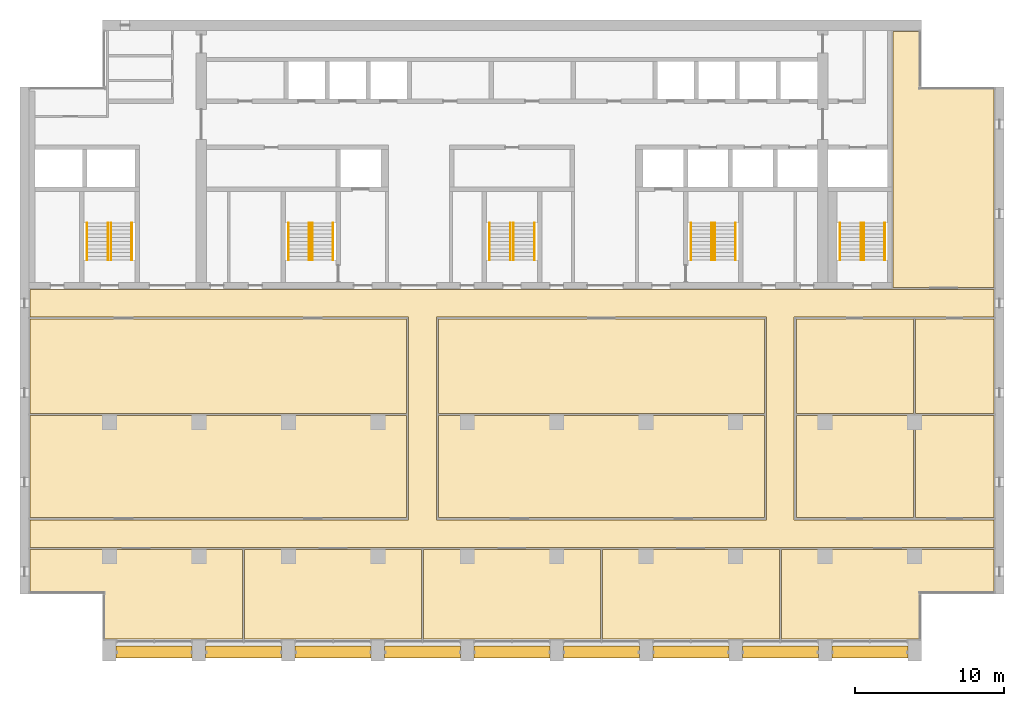
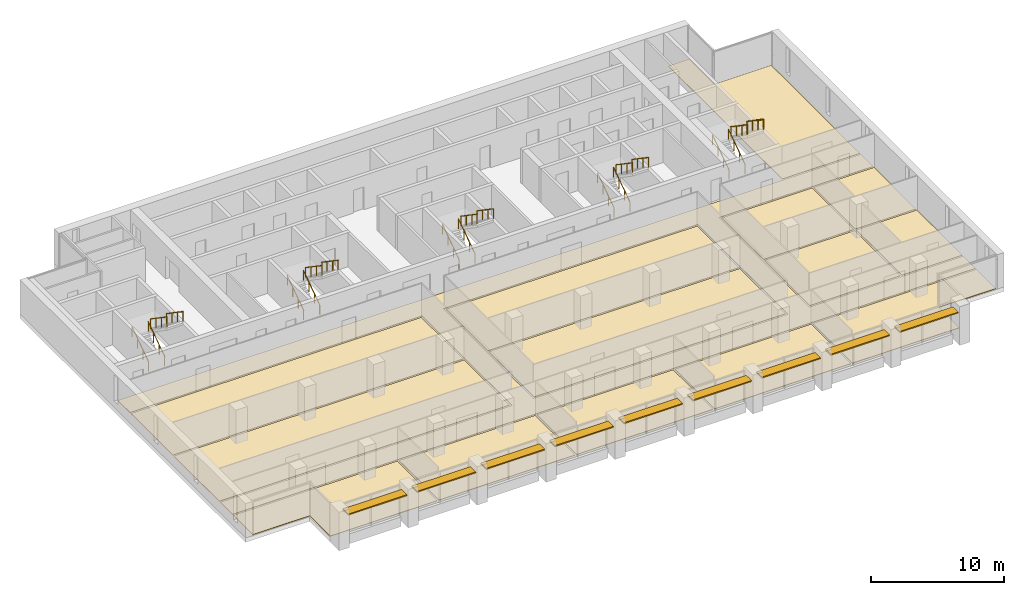
# One storey, part 16 of 16: 20 railings, 15 coverings, 9 shading devices, 5 elements without a shape of their own.
"""IFC4 building model written with IfcOpenShell, lengths in metres."""

from ifc_helpers import new_model, si_unit, direction, frame, origin, origin_2d, place, context, subcontext, project, spatial, polyline, rectangle, circle, outline, extrude, material, layer, layer_set, material_profile, profile_set, type_object, element, aggregate, save


model = new_model("IFC4")

# Units and contexts
model_context = context("Model", 3, precision=1e-05, world=origin(), true_north=direction((0.0, 1.0)))
body_context = subcontext(model_context, "Body", "Model", "MODEL_VIEW")
ifc_project = project(units=[si_unit("LENGTHUNIT", "METRE"), si_unit("AREAUNIT", "SQUARE_METRE"), si_unit("VOLUMEUNIT", "CUBIC_METRE"), si_unit("PLANEANGLEUNIT", "RADIAN"), si_unit("MASSUNIT", "GRAM", prefix="KILO")], contexts=[model_context])

# Site, building, storey
site_placement = place(None, origin())
site = spatial("IfcSite", under=ifc_project, at=site_placement, CompositionType="ELEMENT")
building_placement = place(site_placement, origin())
building = spatial("IfcBuilding", under=site, at=building_placement, Name="Calvaro Tower", CompositionType="ELEMENT")
storey_placement = place(building_placement, frame((0.0, 0.0, 223.0)))
storey = spatial("IfcBuildingStorey", under=building, at=storey_placement, Name="L56", CompositionType="ELEMENT", Elevation=223.0)

# Shading devices
ifc_material_1 = material(Name="Anodised aluminium", Category="aluminium")
ifc_material_profile = material_profile(ifc_material_1, rectangle(XDim=0.800048828125, YDim=0.10009765625, at=origin_2d()), Name="Brise-soleil blade 800 x 100")
ifc_profile_set = profile_set([ifc_material_profile], Name="Anodised aluminium")
shading_device_type = type_object("IfcShadingDeviceType", Name="Brise-soleil blade 800 x 100", PredefinedType="JALOUSIE", material=ifc_profile_set)
for number, where, z_axis, x_axis, name in (
    (1, (12.449951171875, 3.60009765625, 2.5), (1.0, 0.0, 0.0), (0.0, 1.0, 0.0), "Brise-soleil blade 1"),
    (2, (18.449951171875, 3.60009765625, 2.5), (1.0, 0.0, 0.0), (0.0, 1.0, 0.0), "Brise-soleil blade 2"),
    (3, (24.449951171875, 3.60009765625, 2.5), (1.0, 0.0, 0.0), (0.0, 1.0, 0.0), "Brise-soleil blade 3"),
    (4, (30.449951171875, 3.60009765625, 2.5), (1.0, 0.0, 0.0), (0.0, 1.0, 0.0), "Brise-soleil blade 4"),
    (5, (36.449951171875, 3.60009765625, 2.5), (1.0, 0.0, 0.0), (0.0, 1.0, 0.0), "Brise-soleil blade 5"),
    (6, (42.449951171875, 3.60009765625, 2.5), (1.0, 0.0, 0.0), (0.0, 1.0, 0.0), "Brise-soleil blade 6"),
    (7, (48.449951171875, 3.60009765625, 2.5), (1.0, 0.0, 0.0), (0.0, 1.0, 0.0), "Brise-soleil blade 7"),
    (8, (54.449951171875, 3.60009765625, 2.5), (1.0, 0.0, 0.0), (0.0, 1.0, 0.0), "Brise-soleil blade 8"),
    (9, (60.449951171875, 3.60009765625, 2.5), (1.0, 0.0, 0.0), (0.0, 1.0, 0.0), "Brise-soleil blade 9"),
):
    element("IfcShadingDevice", number, at=place(storey_placement, frame(where, z_axis=z_axis, x_axis=x_axis)), inside=storey, type_object=shading_device_type, Name=name, PredefinedType="JALOUSIE", context=body_context, shape_type="SweptSolid", body=[
        extrude(rectangle(XDim=0.800048828125, YDim=0.10009765625, at=origin_2d()), origin(), (0.0, 0.0, 1.0), 5.10009765625),
    ])

# Coverings
ifc_material_2 = material(Name="Cement screed with carpet tile finish")
ifc_layer = layer(ifc_material_2, 0.050048828125)
ifc_layer_set = layer_set([ifc_layer], Name="Cement screed with carpet tile finish")
covering_type = type_object("IfcCoveringType", Name="Floor finish 50", PredefinedType="FLOORING", material=ifc_layer_set)
covering_1_placement = place(storey_placement, origin())
element("IfcCovering", 10, at=covering_1_placement, inside=storey, type_object=covering_type, Name="Floor finish 32.01", PredefinedType="FLOORING", context=body_context, shape_type="SweptSolid", body=[
    extrude(outline(polyline([(6.669921875, 10.6201171875), (6.669921875, 12.47998046875), (32.070068359375, 12.47998046875), (32.070068359375, 26.070068359375), (6.669921875, 26.070068359375), (6.669921875, 27.929931640625), (71.330078125, 27.929931640625), (71.330078125, 26.070068359375), (57.929931640625, 26.070068359375), (57.929931640625, 12.47998046875), (71.330078125, 12.47998046875), (71.330078125, 10.6201171875), (6.669921875, 10.6201171875)]), holes=[polyline([(56.070068359375, 12.47998046875), (56.070068359375, 26.070068359375), (33.929931640625, 26.070068359375), (33.929931640625, 12.47998046875), (56.070068359375, 12.47998046875)])]), origin(), (0.0, 0.0, 1.0), 0.050048828125),
])
covering_2_placement = place(storey_placement, origin())
element("IfcCovering", 11, at=covering_2_placement, inside=storey, type_object=covering_type, Name="Floor finish 32.05", PredefinedType="FLOORING", context=body_context, shape_type="SweptSolid", body=[
    extrude(outline(polyline([(20.929931640625, 10.47998046875), (20.929931640625, 4.469970703125), (11.6201171875, 4.469970703125), (11.6201171875, 7.570068359375), (6.669921875, 7.570068359375), (6.669921875, 10.47998046875), (20.929931640625, 10.47998046875)])), origin(), (0.0, 0.0, 1.0), 0.050048828125),
])
covering_3_placement = place(storey_placement, origin())
element("IfcCovering", 12, at=covering_3_placement, inside=storey, type_object=covering_type, Name="Floor finish 32.02", PredefinedType="FLOORING", context=body_context, shape_type="SweptSolid", body=[
    extrude(outline(polyline([(21.070068359375, 10.47998046875), (32.929931640625, 10.47998046875), (32.929931640625, 4.469970703125), (21.070068359375, 4.469970703125), (21.070068359375, 10.47998046875)])), origin(), (0.0, 0.0, 1.0), 0.050048828125),
])
covering_4_placement = place(storey_placement, origin())
element("IfcCovering", 13, at=covering_4_placement, inside=storey, type_object=covering_type, Name="Floor finish 32.03", PredefinedType="FLOORING", context=body_context, shape_type="SweptSolid", body=[
    extrude(outline(polyline([(33.070068359375, 10.47998046875), (44.929931640625, 10.47998046875), (44.929931640625, 4.469970703125), (33.070068359375, 4.469970703125), (33.070068359375, 10.47998046875)])), origin(), (0.0, 0.0, 1.0), 0.050048828125),
])
covering_5_placement = place(storey_placement, origin())
element("IfcCovering", 14, at=covering_5_placement, inside=storey, type_object=covering_type, Name="Floor finish 32.04", PredefinedType="FLOORING", context=body_context, shape_type="SweptSolid", body=[
    extrude(outline(polyline([(45.070068359375, 10.47998046875), (56.929931640625, 10.47998046875), (56.929931640625, 4.469970703125), (45.070068359375, 4.469970703125), (45.070068359375, 10.47998046875)])), origin(), (0.0, 0.0, 1.0), 0.050048828125),
])
covering_6_placement = place(storey_placement, origin())
element("IfcCovering", 15, at=covering_6_placement, inside=storey, type_object=covering_type, Name="Floor finish 32.06", PredefinedType="FLOORING", context=body_context, shape_type="SweptSolid", body=[
    extrude(outline(polyline([(71.330078125, 7.570068359375), (66.3798828125, 7.570068359375), (66.3798828125, 4.469970703125), (57.070068359375, 4.469970703125), (57.070068359375, 10.47998046875), (71.330078125, 10.47998046875), (71.330078125, 7.570068359375)])), origin(), (0.0, 0.0, 1.0), 0.050048828125),
])
covering_7_placement = place(storey_placement, origin())
element("IfcCovering", 16, at=covering_7_placement, inside=storey, type_object=covering_type, Name="Floor finish 32.07", PredefinedType="FLOORING", context=body_context, shape_type="SweptSolid", body=[
    extrude(outline(polyline([(31.929931640625, 19.47998046875), (31.929931640625, 12.6201171875), (6.669921875, 12.6201171875), (6.669921875, 19.47998046875), (31.929931640625, 19.47998046875)])), origin(), (0.0, 0.0, 1.0), 0.050048828125),
])
covering_8_placement = place(storey_placement, origin())
element("IfcCovering", 17, at=covering_8_placement, inside=storey, type_object=covering_type, Name="Floor finish 32.11", PredefinedType="FLOORING", context=body_context, shape_type="SweptSolid", body=[
    extrude(outline(polyline([(31.929931640625, 25.929931640625), (31.929931640625, 19.6201171875), (6.669921875, 19.6201171875), (6.669921875, 25.929931640625), (31.929931640625, 25.929931640625)])), origin(), (0.0, 0.0, 1.0), 0.050048828125),
])
covering_9_placement = place(storey_placement, origin())
element("IfcCovering", 18, at=covering_9_placement, inside=storey, type_object=covering_type, Name="Floor finish 32.08", PredefinedType="FLOORING", context=body_context, shape_type="SweptSolid", body=[
    extrude(outline(polyline([(34.070068359375, 12.6201171875), (34.070068359375, 19.47998046875), (55.929931640625, 19.47998046875), (55.929931640625, 12.6201171875), (34.070068359375, 12.6201171875)])), origin(), (0.0, 0.0, 1.0), 0.050048828125),
])
covering_10_placement = place(storey_placement, origin())
element("IfcCovering", 19, at=covering_10_placement, inside=storey, type_object=covering_type, Name="Floor finish 32.12", PredefinedType="FLOORING", context=body_context, shape_type="SweptSolid", body=[
    extrude(outline(polyline([(34.070068359375, 19.6201171875), (34.070068359375, 25.929931640625), (55.929931640625, 25.929931640625), (55.929931640625, 19.6201171875), (34.070068359375, 19.6201171875)])), origin(), (0.0, 0.0, 1.0), 0.050048828125),
])
covering_11_placement = place(storey_placement, origin())
element("IfcCovering", 20, at=covering_11_placement, inside=storey, type_object=covering_type, Name="Floor finish 32.09", PredefinedType="FLOORING", context=body_context, shape_type="SweptSolid", body=[
    extrude(outline(polyline([(58.070068359375, 12.6201171875), (58.070068359375, 19.47998046875), (65.929931640625, 19.47998046875), (65.929931640625, 12.6201171875), (58.070068359375, 12.6201171875)])), origin(), (0.0, 0.0, 1.0), 0.050048828125),
])
covering_12_placement = place(storey_placement, origin())
element("IfcCovering", 21, at=covering_12_placement, inside=storey, type_object=covering_type, Name="Floor finish 32.10", PredefinedType="FLOORING", context=body_context, shape_type="SweptSolid", body=[
    extrude(outline(polyline([(71.330078125, 12.6201171875), (66.070068359375, 12.6201171875), (66.070068359375, 19.47998046875), (71.330078125, 19.47998046875), (71.330078125, 12.6201171875)])), origin(), (0.0, 0.0, 1.0), 0.050048828125),
])
covering_13_placement = place(storey_placement, origin())
element("IfcCovering", 22, at=covering_13_placement, inside=storey, type_object=covering_type, Name="Floor finish 32.13", PredefinedType="FLOORING", context=body_context, shape_type="SweptSolid", body=[
    extrude(outline(polyline([(58.070068359375, 19.6201171875), (58.070068359375, 25.929931640625), (65.929931640625, 25.929931640625), (65.929931640625, 19.6201171875), (58.070068359375, 19.6201171875)])), origin(), (0.0, 0.0, 1.0), 0.050048828125),
])
covering_14_placement = place(storey_placement, origin())
element("IfcCovering", 23, at=covering_14_placement, inside=storey, type_object=covering_type, Name="Floor finish 32.14", PredefinedType="FLOORING", context=body_context, shape_type="SweptSolid", body=[
    extrude(outline(polyline([(71.330078125, 19.6201171875), (66.070068359375, 19.6201171875), (66.070068359375, 25.929931640625), (71.330078125, 25.929931640625), (71.330078125, 19.6201171875)])), origin(), (0.0, 0.0, 1.0), 0.050048828125),
])
covering_15_placement = place(storey_placement, origin())
element("IfcCovering", 24, at=covering_15_placement, inside=storey, type_object=covering_type, Name="Floor finish 32.15", PredefinedType="FLOORING", context=body_context, shape_type="SweptSolid", body=[
    extrude(outline(polyline([(71.330078125, 28.070068359375), (64.570068359375, 28.070068359375), (64.570068359375, 45.22998046875), (66.3798828125, 45.22998046875), (66.3798828125, 41.429931640625), (71.330078125, 41.429931640625), (71.330078125, 28.070068359375)])), origin(), (0.0, 0.0, 1.0), 0.050048828125),
])

# Stair, railings
ifc_material_3 = material(Name="Concrete C40/50", Category="concrete")
stair_type = type_object("IfcStairType", Name="Exit stair 1400 2 flights", PredefinedType="HALF_TURN_STAIR", material=ifc_material_3)
stair_1_placement = place(storey_placement, origin())
stair_1 = element("IfcStair", 25, at=stair_1_placement, inside=storey, type_object=stair_type, Name="Exit stair S1", PredefinedType="HALF_TURN_STAIR")
ifc_material_4 = material(Name="Stainless steel", Category="steel")
railing_type = type_object("IfcRailingType", Name="Stair handrail", PredefinedType="HANDRAIL", material=ifc_material_4)
railing_1_placement = place(storey_placement, frame((11.89990234375, 29.89990234375, 0.17041015625)))
railing_1 = element("IfcRailing", 26, at=railing_1_placement, type_object=railing_type, Name="Exit stair 1 handrail", PredefinedType="HANDRAIL", context=body_context, shape_type="SweptSolid", body=[
    extrude(circle(Radius=0.02392578125, at=origin_2d()), frame((0.0, 0.0, 0.8759765625), z_axis=(0.0, 0.826220514629, 0.563346839174), x_axis=(-1.0, 0.0, 0.0)), (0.0, 0.0, 1.0), 3.02587890625),
    extrude(circle(Radius=0.02099609375, at=origin_2d()), frame((0.0, 0.017333984375, 0.01171875)), (0.0, 0.0, 1.0), 0.851806640625),
    extrude(circle(Radius=0.02099609375, at=origin_2d()), frame((0.0, 0.833251953125, 0.568115234375)), (0.0, 0.0, 1.0), 0.851806640625),
    extrude(circle(Radius=0.02099609375, at=origin_2d()), frame((0.0, 1.666748046875, 1.136474609375)), (0.0, 0.0, 1.0), 0.851806640625),
    extrude(circle(Radius=0.02099609375, at=origin_2d()), frame((0.0, 2.482666015625, 1.69287109375)), (0.0, 0.0, 1.0), 0.851806640625),
])
railing_2_placement = place(storey_placement, frame((10.5, 29.89990234375, 0.17041015625)))
railing_2 = element("IfcRailing", 27, at=railing_2_placement, type_object=railing_type, Name="Exit stair 1 handrail", PredefinedType="HANDRAIL", context=body_context, shape_type="SweptSolid", body=[
    extrude(circle(Radius=0.02392578125, at=origin_2d()), frame((0.0, 0.0, 0.8759765625), z_axis=(0.0, 0.826220514629, 0.563346839174), x_axis=(-1.0, 0.0, 0.0)), (0.0, 0.0, 1.0), 3.02587890625),
    extrude(circle(Radius=0.02099609375, at=origin_2d()), frame((0.0, 0.017333984375, 0.01171875)), (0.0, 0.0, 1.0), 0.851806640625),
    extrude(circle(Radius=0.02099609375, at=origin_2d()), frame((0.0, 0.833251953125, 0.568115234375)), (0.0, 0.0, 1.0), 0.851806640625),
    extrude(circle(Radius=0.02099609375, at=origin_2d()), frame((0.0, 1.666748046875, 1.136474609375)), (0.0, 0.0, 1.0), 0.851806640625),
    extrude(circle(Radius=0.02099609375, at=origin_2d()), frame((0.0, 2.482666015625, 1.69287109375)), (0.0, 0.0, 1.0), 0.851806640625),
])
railing_3_placement = place(storey_placement, frame((12.10009765625, 32.39990234375, 2.04541015625)))
railing_3 = element("IfcRailing", 28, at=railing_3_placement, type_object=railing_type, Name="Exit stair 1 handrail", PredefinedType="HANDRAIL", context=body_context, shape_type="SweptSolid", body=[
    extrude(circle(Radius=0.02392578125, at=origin_2d()), frame((0.0, 0.0, 0.8759765625), z_axis=(0.0, -0.826220514629, 0.563346839174), x_axis=(1.0, 0.0, 0.0)), (0.0, 0.0, 1.0), 3.02587890625),
    extrude(circle(Radius=0.02099609375, at=origin_2d()), frame((0.0, -0.017333984375, 0.01171875)), (0.0, 0.0, 1.0), 0.851806640625),
    extrude(circle(Radius=0.02099609375, at=origin_2d()), frame((0.0, -0.833251953125, 0.568115234375)), (0.0, 0.0, 1.0), 0.851806640625),
    extrude(circle(Radius=0.02099609375, at=origin_2d()), frame((0.0, -1.666748046875, 1.136474609375)), (0.0, 0.0, 1.0), 0.851806640625),
    extrude(circle(Radius=0.02099609375, at=origin_2d()), frame((0.0, -2.482666015625, 1.69287109375)), (0.0, 0.0, 1.0), 0.851806640625),
])
railing_4_placement = place(storey_placement, frame((13.5, 32.39990234375, 2.04541015625)))
railing_4 = element("IfcRailing", 29, at=railing_4_placement, type_object=railing_type, Name="Exit stair 1 handrail", PredefinedType="HANDRAIL", context=body_context, shape_type="SweptSolid", body=[
    extrude(circle(Radius=0.02392578125, at=origin_2d()), frame((0.0, 0.0, 0.8759765625), z_axis=(0.0, -0.826220514629, 0.563346839174), x_axis=(1.0, 0.0, 0.0)), (0.0, 0.0, 1.0), 3.02587890625),
    extrude(circle(Radius=0.02099609375, at=origin_2d()), frame((0.0, -0.017333984375, 0.01171875)), (0.0, 0.0, 1.0), 0.851806640625),
    extrude(circle(Radius=0.02099609375, at=origin_2d()), frame((0.0, -0.833251953125, 0.568115234375)), (0.0, 0.0, 1.0), 0.851806640625),
    extrude(circle(Radius=0.02099609375, at=origin_2d()), frame((0.0, -1.666748046875, 1.136474609375)), (0.0, 0.0, 1.0), 0.851806640625),
    extrude(circle(Radius=0.02099609375, at=origin_2d()), frame((0.0, -2.482666015625, 1.69287109375)), (0.0, 0.0, 1.0), 0.851806640625),
])
aggregate(stair_1, [railing_1, railing_2, railing_3, railing_4])

stair_2_placement = place(storey_placement, origin())
stair_2 = element("IfcStair", 30, at=stair_2_placement, inside=storey, type_object=stair_type, Name="Exit stair S2", PredefinedType="HALF_TURN_STAIR")
railing_5_placement = place(storey_placement, frame((25.39990234375, 29.89990234375, 0.17041015625)))
railing_5 = element("IfcRailing", 31, at=railing_5_placement, type_object=railing_type, Name="Exit stair 2 handrail", PredefinedType="HANDRAIL", context=body_context, shape_type="SweptSolid", body=[
    extrude(circle(Radius=0.02392578125, at=origin_2d()), frame((0.0, 0.0, 0.8759765625), z_axis=(0.0, 0.826220514629, 0.563346839174), x_axis=(-1.0, 0.0, 0.0)), (0.0, 0.0, 1.0), 3.02587890625),
    extrude(circle(Radius=0.02099609375, at=origin_2d()), frame((0.0, 0.017333984375, 0.01171875)), (0.0, 0.0, 1.0), 0.851806640625),
    extrude(circle(Radius=0.02099609375, at=origin_2d()), frame((0.0, 0.833251953125, 0.568115234375)), (0.0, 0.0, 1.0), 0.851806640625),
    extrude(circle(Radius=0.02099609375, at=origin_2d()), frame((0.0, 1.666748046875, 1.136474609375)), (0.0, 0.0, 1.0), 0.851806640625),
    extrude(circle(Radius=0.02099609375, at=origin_2d()), frame((0.0, 2.482666015625, 1.69287109375)), (0.0, 0.0, 1.0), 0.851806640625),
])
railing_6_placement = place(storey_placement, frame((24.0, 29.89990234375, 0.17041015625)))
railing_6 = element("IfcRailing", 32, at=railing_6_placement, type_object=railing_type, Name="Exit stair 2 handrail", PredefinedType="HANDRAIL", context=body_context, shape_type="SweptSolid", body=[
    extrude(circle(Radius=0.02392578125, at=origin_2d()), frame((0.0, 0.0, 0.8759765625), z_axis=(0.0, 0.826220514629, 0.563346839174), x_axis=(-1.0, 0.0, 0.0)), (0.0, 0.0, 1.0), 3.02587890625),
    extrude(circle(Radius=0.02099609375, at=origin_2d()), frame((0.0, 0.017333984375, 0.01171875)), (0.0, 0.0, 1.0), 0.851806640625),
    extrude(circle(Radius=0.02099609375, at=origin_2d()), frame((0.0, 0.833251953125, 0.568115234375)), (0.0, 0.0, 1.0), 0.851806640625),
    extrude(circle(Radius=0.02099609375, at=origin_2d()), frame((0.0, 1.666748046875, 1.136474609375)), (0.0, 0.0, 1.0), 0.851806640625),
    extrude(circle(Radius=0.02099609375, at=origin_2d()), frame((0.0, 2.482666015625, 1.69287109375)), (0.0, 0.0, 1.0), 0.851806640625),
])
railing_7_placement = place(storey_placement, frame((25.60009765625, 32.39990234375, 2.04541015625)))
railing_7 = element("IfcRailing", 33, at=railing_7_placement, type_object=railing_type, Name="Exit stair 2 handrail", PredefinedType="HANDRAIL", context=body_context, shape_type="SweptSolid", body=[
    extrude(circle(Radius=0.02392578125, at=origin_2d()), frame((0.0, 0.0, 0.8759765625), z_axis=(0.0, -0.826220514629, 0.563346839174), x_axis=(1.0, 0.0, 0.0)), (0.0, 0.0, 1.0), 3.02587890625),
    extrude(circle(Radius=0.02099609375, at=origin_2d()), frame((0.0, -0.017333984375, 0.01171875)), (0.0, 0.0, 1.0), 0.851806640625),
    extrude(circle(Radius=0.02099609375, at=origin_2d()), frame((0.0, -0.833251953125, 0.568115234375)), (0.0, 0.0, 1.0), 0.851806640625),
    extrude(circle(Radius=0.02099609375, at=origin_2d()), frame((0.0, -1.666748046875, 1.136474609375)), (0.0, 0.0, 1.0), 0.851806640625),
    extrude(circle(Radius=0.02099609375, at=origin_2d()), frame((0.0, -2.482666015625, 1.69287109375)), (0.0, 0.0, 1.0), 0.851806640625),
])
railing_8_placement = place(storey_placement, frame((27.0, 32.39990234375, 2.04541015625)))
railing_8 = element("IfcRailing", 34, at=railing_8_placement, type_object=railing_type, Name="Exit stair 2 handrail", PredefinedType="HANDRAIL", context=body_context, shape_type="SweptSolid", body=[
    extrude(circle(Radius=0.02392578125, at=origin_2d()), frame((0.0, 0.0, 0.8759765625), z_axis=(0.0, -0.826220514629, 0.563346839174), x_axis=(1.0, 0.0, 0.0)), (0.0, 0.0, 1.0), 3.02587890625),
    extrude(circle(Radius=0.02099609375, at=origin_2d()), frame((0.0, -0.017333984375, 0.01171875)), (0.0, 0.0, 1.0), 0.851806640625),
    extrude(circle(Radius=0.02099609375, at=origin_2d()), frame((0.0, -0.833251953125, 0.568115234375)), (0.0, 0.0, 1.0), 0.851806640625),
    extrude(circle(Radius=0.02099609375, at=origin_2d()), frame((0.0, -1.666748046875, 1.136474609375)), (0.0, 0.0, 1.0), 0.851806640625),
    extrude(circle(Radius=0.02099609375, at=origin_2d()), frame((0.0, -2.482666015625, 1.69287109375)), (0.0, 0.0, 1.0), 0.851806640625),
])
aggregate(stair_2, [railing_5, railing_6, railing_7, railing_8])

stair_3_placement = place(storey_placement, origin())
stair_3 = element("IfcStair", 35, at=stair_3_placement, inside=storey, type_object=stair_type, Name="Exit stair S3", PredefinedType="HALF_TURN_STAIR")
railing_9_placement = place(storey_placement, frame((38.89990234375, 29.89990234375, 0.17041015625)))
railing_9 = element("IfcRailing", 36, at=railing_9_placement, type_object=railing_type, Name="Exit stair 3 handrail", PredefinedType="HANDRAIL", context=body_context, shape_type="SweptSolid", body=[
    extrude(circle(Radius=0.02392578125, at=origin_2d()), frame((0.0, 0.0, 0.8759765625), z_axis=(0.0, 0.826220514629, 0.563346839174), x_axis=(-1.0, 0.0, 0.0)), (0.0, 0.0, 1.0), 3.02587890625),
    extrude(circle(Radius=0.02099609375, at=origin_2d()), frame((0.0, 0.017333984375, 0.01171875)), (0.0, 0.0, 1.0), 0.851806640625),
    extrude(circle(Radius=0.02099609375, at=origin_2d()), frame((0.0, 0.833251953125, 0.568115234375)), (0.0, 0.0, 1.0), 0.851806640625),
    extrude(circle(Radius=0.02099609375, at=origin_2d()), frame((0.0, 1.666748046875, 1.136474609375)), (0.0, 0.0, 1.0), 0.851806640625),
    extrude(circle(Radius=0.02099609375, at=origin_2d()), frame((0.0, 2.482666015625, 1.69287109375)), (0.0, 0.0, 1.0), 0.851806640625),
])
railing_10_placement = place(storey_placement, frame((37.5, 29.89990234375, 0.17041015625)))
railing_10 = element("IfcRailing", 37, at=railing_10_placement, type_object=railing_type, Name="Exit stair 3 handrail", PredefinedType="HANDRAIL", context=body_context, shape_type="SweptSolid", body=[
    extrude(circle(Radius=0.02392578125, at=origin_2d()), frame((0.0, 0.0, 0.8759765625), z_axis=(0.0, 0.826220514629, 0.563346839174), x_axis=(-1.0, 0.0, 0.0)), (0.0, 0.0, 1.0), 3.02587890625),
    extrude(circle(Radius=0.02099609375, at=origin_2d()), frame((0.0, 0.017333984375, 0.01171875)), (0.0, 0.0, 1.0), 0.851806640625),
    extrude(circle(Radius=0.02099609375, at=origin_2d()), frame((0.0, 0.833251953125, 0.568115234375)), (0.0, 0.0, 1.0), 0.851806640625),
    extrude(circle(Radius=0.02099609375, at=origin_2d()), frame((0.0, 1.666748046875, 1.136474609375)), (0.0, 0.0, 1.0), 0.851806640625),
    extrude(circle(Radius=0.02099609375, at=origin_2d()), frame((0.0, 2.482666015625, 1.69287109375)), (0.0, 0.0, 1.0), 0.851806640625),
])
railing_11_placement = place(storey_placement, frame((39.10009765625, 32.39990234375, 2.04541015625)))
railing_11 = element("IfcRailing", 38, at=railing_11_placement, type_object=railing_type, Name="Exit stair 3 handrail", PredefinedType="HANDRAIL", context=body_context, shape_type="SweptSolid", body=[
    extrude(circle(Radius=0.02392578125, at=origin_2d()), frame((0.0, 0.0, 0.8759765625), z_axis=(0.0, -0.826220514629, 0.563346839174), x_axis=(1.0, 0.0, 0.0)), (0.0, 0.0, 1.0), 3.02587890625),
    extrude(circle(Radius=0.02099609375, at=origin_2d()), frame((0.0, -0.017333984375, 0.01171875)), (0.0, 0.0, 1.0), 0.851806640625),
    extrude(circle(Radius=0.02099609375, at=origin_2d()), frame((0.0, -0.833251953125, 0.568115234375)), (0.0, 0.0, 1.0), 0.851806640625),
    extrude(circle(Radius=0.02099609375, at=origin_2d()), frame((0.0, -1.666748046875, 1.136474609375)), (0.0, 0.0, 1.0), 0.851806640625),
    extrude(circle(Radius=0.02099609375, at=origin_2d()), frame((0.0, -2.482666015625, 1.69287109375)), (0.0, 0.0, 1.0), 0.851806640625),
])
railing_12_placement = place(storey_placement, frame((40.5, 32.39990234375, 2.04541015625)))
railing_12 = element("IfcRailing", 39, at=railing_12_placement, type_object=railing_type, Name="Exit stair 3 handrail", PredefinedType="HANDRAIL", context=body_context, shape_type="SweptSolid", body=[
    extrude(circle(Radius=0.02392578125, at=origin_2d()), frame((0.0, 0.0, 0.8759765625), z_axis=(0.0, -0.826220514629, 0.563346839174), x_axis=(1.0, 0.0, 0.0)), (0.0, 0.0, 1.0), 3.02587890625),
    extrude(circle(Radius=0.02099609375, at=origin_2d()), frame((0.0, -0.017333984375, 0.01171875)), (0.0, 0.0, 1.0), 0.851806640625),
    extrude(circle(Radius=0.02099609375, at=origin_2d()), frame((0.0, -0.833251953125, 0.568115234375)), (0.0, 0.0, 1.0), 0.851806640625),
    extrude(circle(Radius=0.02099609375, at=origin_2d()), frame((0.0, -1.666748046875, 1.136474609375)), (0.0, 0.0, 1.0), 0.851806640625),
    extrude(circle(Radius=0.02099609375, at=origin_2d()), frame((0.0, -2.482666015625, 1.69287109375)), (0.0, 0.0, 1.0), 0.851806640625),
])
aggregate(stair_3, [railing_9, railing_10, railing_11, railing_12])

stair_4_placement = place(storey_placement, origin())
stair_4 = element("IfcStair", 40, at=stair_4_placement, inside=storey, type_object=stair_type, Name="Exit stair S4", PredefinedType="HALF_TURN_STAIR")
railing_13_placement = place(storey_placement, frame((52.39990234375, 29.89990234375, 0.17041015625)))
railing_13 = element("IfcRailing", 41, at=railing_13_placement, type_object=railing_type, Name="Exit stair 4 handrail", PredefinedType="HANDRAIL", context=body_context, shape_type="SweptSolid", body=[
    extrude(circle(Radius=0.02392578125, at=origin_2d()), frame((0.0, 0.0, 0.8759765625), z_axis=(0.0, 0.826220514629, 0.563346839174), x_axis=(-1.0, 0.0, 0.0)), (0.0, 0.0, 1.0), 3.02587890625),
    extrude(circle(Radius=0.02099609375, at=origin_2d()), frame((0.0, 0.017333984375, 0.01171875)), (0.0, 0.0, 1.0), 0.851806640625),
    extrude(circle(Radius=0.02099609375, at=origin_2d()), frame((0.0, 0.833251953125, 0.568115234375)), (0.0, 0.0, 1.0), 0.851806640625),
    extrude(circle(Radius=0.02099609375, at=origin_2d()), frame((0.0, 1.666748046875, 1.136474609375)), (0.0, 0.0, 1.0), 0.851806640625),
    extrude(circle(Radius=0.02099609375, at=origin_2d()), frame((0.0, 2.482666015625, 1.69287109375)), (0.0, 0.0, 1.0), 0.851806640625),
])
railing_14_placement = place(storey_placement, frame((51.0, 29.89990234375, 0.17041015625)))
railing_14 = element("IfcRailing", 42, at=railing_14_placement, type_object=railing_type, Name="Exit stair 4 handrail", PredefinedType="HANDRAIL", context=body_context, shape_type="SweptSolid", body=[
    extrude(circle(Radius=0.02392578125, at=origin_2d()), frame((0.0, 0.0, 0.8759765625), z_axis=(0.0, 0.826220514629, 0.563346839174), x_axis=(-1.0, 0.0, 0.0)), (0.0, 0.0, 1.0), 3.02587890625),
    extrude(circle(Radius=0.02099609375, at=origin_2d()), frame((0.0, 0.017333984375, 0.01171875)), (0.0, 0.0, 1.0), 0.851806640625),
    extrude(circle(Radius=0.02099609375, at=origin_2d()), frame((0.0, 0.833251953125, 0.568115234375)), (0.0, 0.0, 1.0), 0.851806640625),
    extrude(circle(Radius=0.02099609375, at=origin_2d()), frame((0.0, 1.666748046875, 1.136474609375)), (0.0, 0.0, 1.0), 0.851806640625),
    extrude(circle(Radius=0.02099609375, at=origin_2d()), frame((0.0, 2.482666015625, 1.69287109375)), (0.0, 0.0, 1.0), 0.851806640625),
])
railing_15_placement = place(storey_placement, frame((52.60009765625, 32.39990234375, 2.04541015625)))
railing_15 = element("IfcRailing", 43, at=railing_15_placement, type_object=railing_type, Name="Exit stair 4 handrail", PredefinedType="HANDRAIL", context=body_context, shape_type="SweptSolid", body=[
    extrude(circle(Radius=0.02392578125, at=origin_2d()), frame((0.0, 0.0, 0.8759765625), z_axis=(0.0, -0.826220514629, 0.563346839174), x_axis=(1.0, 0.0, 0.0)), (0.0, 0.0, 1.0), 3.02587890625),
    extrude(circle(Radius=0.02099609375, at=origin_2d()), frame((0.0, -0.017333984375, 0.01171875)), (0.0, 0.0, 1.0), 0.851806640625),
    extrude(circle(Radius=0.02099609375, at=origin_2d()), frame((0.0, -0.833251953125, 0.568115234375)), (0.0, 0.0, 1.0), 0.851806640625),
    extrude(circle(Radius=0.02099609375, at=origin_2d()), frame((0.0, -1.666748046875, 1.136474609375)), (0.0, 0.0, 1.0), 0.851806640625),
    extrude(circle(Radius=0.02099609375, at=origin_2d()), frame((0.0, -2.482666015625, 1.69287109375)), (0.0, 0.0, 1.0), 0.851806640625),
])
railing_16_placement = place(storey_placement, frame((54.0, 32.39990234375, 2.04541015625)))
railing_16 = element("IfcRailing", 44, at=railing_16_placement, type_object=railing_type, Name="Exit stair 4 handrail", PredefinedType="HANDRAIL", context=body_context, shape_type="SweptSolid", body=[
    extrude(circle(Radius=0.02392578125, at=origin_2d()), frame((0.0, 0.0, 0.8759765625), z_axis=(0.0, -0.826220514629, 0.563346839174), x_axis=(1.0, 0.0, 0.0)), (0.0, 0.0, 1.0), 3.02587890625),
    extrude(circle(Radius=0.02099609375, at=origin_2d()), frame((0.0, -0.017333984375, 0.01171875)), (0.0, 0.0, 1.0), 0.851806640625),
    extrude(circle(Radius=0.02099609375, at=origin_2d()), frame((0.0, -0.833251953125, 0.568115234375)), (0.0, 0.0, 1.0), 0.851806640625),
    extrude(circle(Radius=0.02099609375, at=origin_2d()), frame((0.0, -1.666748046875, 1.136474609375)), (0.0, 0.0, 1.0), 0.851806640625),
    extrude(circle(Radius=0.02099609375, at=origin_2d()), frame((0.0, -2.482666015625, 1.69287109375)), (0.0, 0.0, 1.0), 0.851806640625),
])
aggregate(stair_4, [railing_13, railing_14, railing_15, railing_16])

stair_5_placement = place(storey_placement, origin())
stair_5 = element("IfcStair", 45, at=stair_5_placement, inside=storey, type_object=stair_type, Name="Exit stair S5", PredefinedType="HALF_TURN_STAIR")
railing_17_placement = place(storey_placement, frame((62.39990234375, 29.89990234375, 0.17041015625)))
railing_17 = element("IfcRailing", 46, at=railing_17_placement, type_object=railing_type, Name="Exit stair 5 handrail", PredefinedType="HANDRAIL", context=body_context, shape_type="SweptSolid", body=[
    extrude(circle(Radius=0.02392578125, at=origin_2d()), frame((0.0, 0.0, 0.8759765625), z_axis=(0.0, 0.826220514629, 0.563346839174), x_axis=(-1.0, 0.0, 0.0)), (0.0, 0.0, 1.0), 3.02587890625),
    extrude(circle(Radius=0.02099609375, at=origin_2d()), frame((0.0, 0.017333984375, 0.01171875)), (0.0, 0.0, 1.0), 0.851806640625),
    extrude(circle(Radius=0.02099609375, at=origin_2d()), frame((0.0, 0.833251953125, 0.568115234375)), (0.0, 0.0, 1.0), 0.851806640625),
    extrude(circle(Radius=0.02099609375, at=origin_2d()), frame((0.0, 1.666748046875, 1.136474609375)), (0.0, 0.0, 1.0), 0.851806640625),
    extrude(circle(Radius=0.02099609375, at=origin_2d()), frame((0.0, 2.482666015625, 1.69287109375)), (0.0, 0.0, 1.0), 0.851806640625),
])
railing_18_placement = place(storey_placement, frame((61.0, 29.89990234375, 0.17041015625)))
railing_18 = element("IfcRailing", 47, at=railing_18_placement, type_object=railing_type, Name="Exit stair 5 handrail", PredefinedType="HANDRAIL", context=body_context, shape_type="SweptSolid", body=[
    extrude(circle(Radius=0.02392578125, at=origin_2d()), frame((0.0, 0.0, 0.8759765625), z_axis=(0.0, 0.826220514629, 0.563346839174), x_axis=(-1.0, 0.0, 0.0)), (0.0, 0.0, 1.0), 3.02587890625),
    extrude(circle(Radius=0.02099609375, at=origin_2d()), frame((0.0, 0.017333984375, 0.01171875)), (0.0, 0.0, 1.0), 0.851806640625),
    extrude(circle(Radius=0.02099609375, at=origin_2d()), frame((0.0, 0.833251953125, 0.568115234375)), (0.0, 0.0, 1.0), 0.851806640625),
    extrude(circle(Radius=0.02099609375, at=origin_2d()), frame((0.0, 1.666748046875, 1.136474609375)), (0.0, 0.0, 1.0), 0.851806640625),
    extrude(circle(Radius=0.02099609375, at=origin_2d()), frame((0.0, 2.482666015625, 1.69287109375)), (0.0, 0.0, 1.0), 0.851806640625),
])
railing_19_placement = place(storey_placement, frame((62.60009765625, 32.39990234375, 2.04541015625)))
railing_19 = element("IfcRailing", 48, at=railing_19_placement, type_object=railing_type, Name="Exit stair 5 handrail", PredefinedType="HANDRAIL", context=body_context, shape_type="SweptSolid", body=[
    extrude(circle(Radius=0.02392578125, at=origin_2d()), frame((0.0, 0.0, 0.8759765625), z_axis=(0.0, -0.826220514629, 0.563346839174), x_axis=(1.0, 0.0, 0.0)), (0.0, 0.0, 1.0), 3.02587890625),
    extrude(circle(Radius=0.02099609375, at=origin_2d()), frame((0.0, -0.017333984375, 0.01171875)), (0.0, 0.0, 1.0), 0.851806640625),
    extrude(circle(Radius=0.02099609375, at=origin_2d()), frame((0.0, -0.833251953125, 0.568115234375)), (0.0, 0.0, 1.0), 0.851806640625),
    extrude(circle(Radius=0.02099609375, at=origin_2d()), frame((0.0, -1.666748046875, 1.136474609375)), (0.0, 0.0, 1.0), 0.851806640625),
    extrude(circle(Radius=0.02099609375, at=origin_2d()), frame((0.0, -2.482666015625, 1.69287109375)), (0.0, 0.0, 1.0), 0.851806640625),
])
railing_20_placement = place(storey_placement, frame((64.0, 32.39990234375, 2.04541015625)))
railing_20 = element("IfcRailing", 49, at=railing_20_placement, type_object=railing_type, Name="Exit stair 5 handrail", PredefinedType="HANDRAIL", context=body_context, shape_type="SweptSolid", body=[
    extrude(circle(Radius=0.02392578125, at=origin_2d()), frame((0.0, 0.0, 0.8759765625), z_axis=(0.0, -0.826220514629, 0.563346839174), x_axis=(1.0, 0.0, 0.0)), (0.0, 0.0, 1.0), 3.02587890625),
    extrude(circle(Radius=0.02099609375, at=origin_2d()), frame((0.0, -0.017333984375, 0.01171875)), (0.0, 0.0, 1.0), 0.851806640625),
    extrude(circle(Radius=0.02099609375, at=origin_2d()), frame((0.0, -0.833251953125, 0.568115234375)), (0.0, 0.0, 1.0), 0.851806640625),
    extrude(circle(Radius=0.02099609375, at=origin_2d()), frame((0.0, -1.666748046875, 1.136474609375)), (0.0, 0.0, 1.0), 0.851806640625),
    extrude(circle(Radius=0.02099609375, at=origin_2d()), frame((0.0, -2.482666015625, 1.69287109375)), (0.0, 0.0, 1.0), 0.851806640625),
])
aggregate(stair_5, [railing_17, railing_18, railing_19, railing_20])

save(model, "model.ifc")
